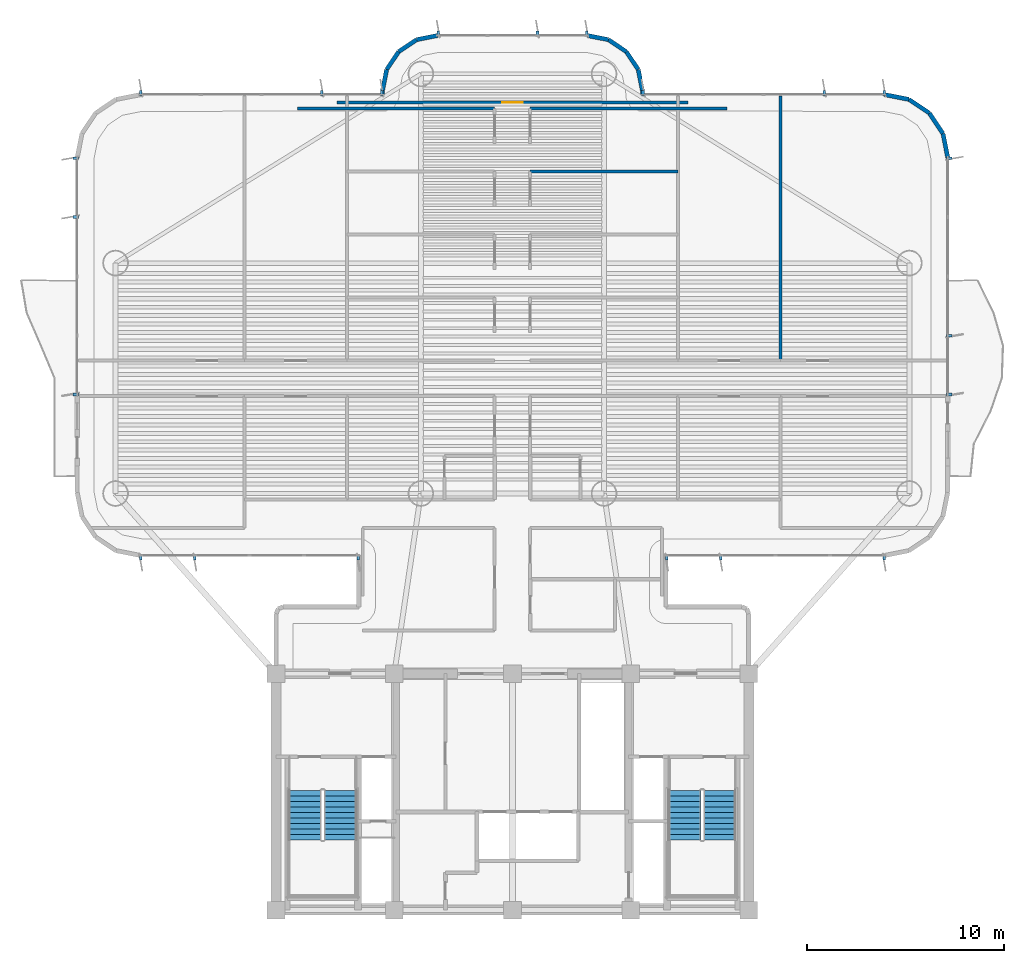
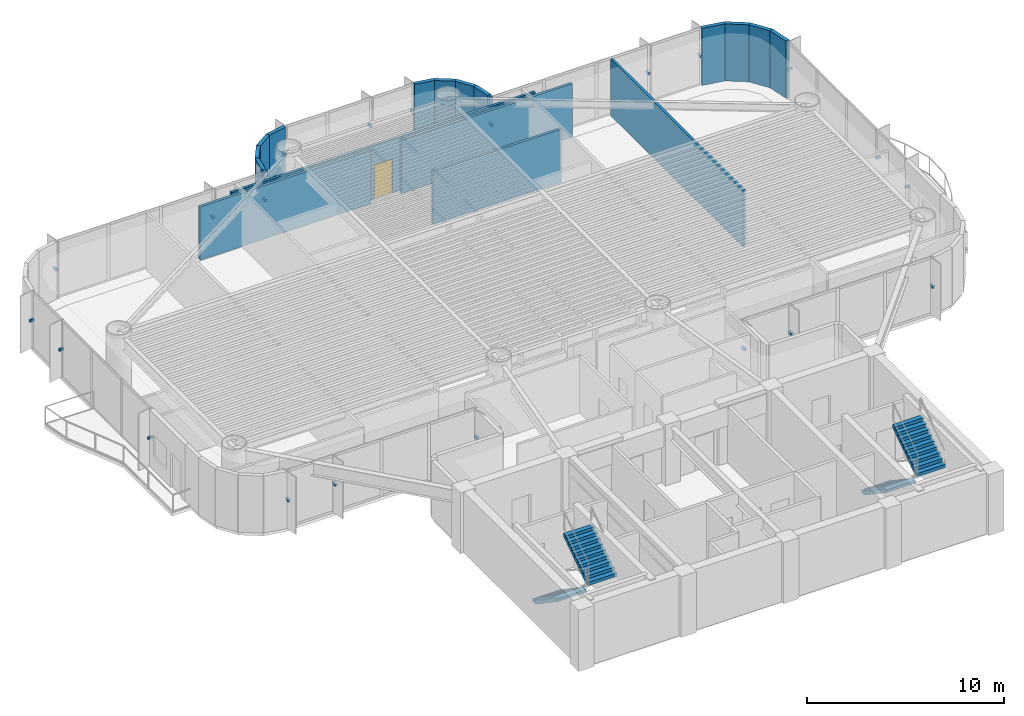
# One storey, part 12 of 16: 21 discrete accessories, 19 walls, 4 stair flights, 1 door, 1 opening, 2 elements without a shape of their own.
"""IFC4 building model written with IfcOpenShell, lengths in metres."""

from ifc_helpers import new_model, si_unit, direction, frame, frame_2d, origin, origin_2d, place, context, subcontext, project, spatial, polyline, rectangle, outline, extrude, source, transform, mapped, material, layer, layer_set, type_object, element, fill, aggregate, save


model = new_model("IFC4")

# Units and contexts
model_context = context("Model", 3, precision=1e-05, world=origin(), true_north=direction((0.0, 1.0)))
body_context = subcontext(model_context, "Body", "Model", "MODEL_VIEW")
ifc_project = project(units=[si_unit("LENGTHUNIT", "METRE"), si_unit("AREAUNIT", "SQUARE_METRE"), si_unit("VOLUMEUNIT", "CUBIC_METRE"), si_unit("PLANEANGLEUNIT", "RADIAN"), si_unit("MASSUNIT", "GRAM", prefix="KILO")], contexts=[model_context])

# Site, building, storey
site_placement = place(None, origin())
site = spatial("IfcSite", under=ifc_project, at=site_placement, CompositionType="ELEMENT")
building_placement = place(site_placement, origin())
building = spatial("IfcBuilding", under=site, at=building_placement, Name="Brelvock Crest Care Tower", CompositionType="ELEMENT")
storey_placement = place(building_placement, frame((0.0, 0.0, 101.159912109375)))
storey = spatial("IfcBuildingStorey", under=building, at=storey_placement, Name="L25", CompositionType="ELEMENT", Elevation=101.159912109375)

# Walls
ifc_material_1 = material(Name="Precast concrete N40 (40 MPa)", Category="concrete")
ifc_layer_1 = layer(ifc_material_1, 0.215087890625, Name="WL-EX2")
ifc_layer_set_1 = layer_set([ifc_layer_1], Name="Precast concrete N40 (40 MPa)")
wall_type_1 = type_object("IfcWallType", Name="WL-EX2", PredefinedType="SOLIDWALL", material=ifc_layer_set_1)
wall_1_placement = place(storey_placement, frame((29.39990234375, 47.39990234375, 0.0), z_axis=(0.0, 0.0, 1.0), x_axis=(0.0, 1.0, 0.0)))
element("IfcWall", 1, at=wall_1_placement, inside=storey, type_object=wall_type_1, Name="L25 Rounded Corner Wall 23", PredefinedType="SOLIDWALL", context=body_context, shape_type="SweptSolid", body=[
    extrude(rectangle(XDim=0.2001953125, YDim=0.215087890625, at=frame_2d((0.10009765625, 0.0))), origin(), (0.0, 0.0, 1.0), 3.530029296875),
])
wall_2_placement = place(storey_placement, frame((29.39990234375, 47.60009765625, 0.0), z_axis=(0.0, 0.0, 1.0), x_axis=(0.195127417394, 0.980777900945, 0.0)))
element("IfcWall", 2, at=wall_2_placement, inside=storey, type_object=wall_type_1, Name="L25 Rounded Corner Wall 24", PredefinedType="SOLIDWALL", context=body_context, shape_type="SweptSolid", body=[
    extrude(rectangle(XDim=1.09228515625, YDim=0.215087890625, at=frame_2d((0.546142578125, 0.0))), origin(), (0.0, 0.0, 1.0), 3.530029296875),
])
wall_3_placement = place(storey_placement, frame((29.613037109375, 48.67138671875, 0.0), z_axis=(0.0, 0.0, 1.0), x_axis=(0.555679482341, 0.831396603857, 0.0)))
element("IfcWall", 3, at=wall_3_placement, inside=storey, type_object=wall_type_1, Name="L25 Rounded Corner Wall 25", PredefinedType="SOLIDWALL", context=body_context, shape_type="SweptSolid", body=[
    extrude(rectangle(XDim=1.0927734375, YDim=0.215087890625, at=frame_2d((0.54638671875, 0.0))), origin(), (0.0, 0.0, 1.0), 3.530029296875),
])
for number, where, z_axis, x_axis, name in (
    (4, (30.22021484375, 49.579833984375, 0.0), (0.0, 0.0, 1.0), (0.831327592857, 0.555782721353, 0.0), "L25 Rounded Corner Wall 26"),
    (5, (31.12841796875, 50.18701171875, 0.0), (0.0, 0.0, 1.0), (0.980829143587, 0.194869677195, 0.0), "L25 Rounded Corner Wall 27"),
    (6, (39.800048828125, 50.39990234375, 0.0), (0.0, 0.0, 1.0), (0.980829143587, -0.194869677195, 0.0), "L25 Rounded Corner Wall 29"),
    (7, (40.87158203125, 50.18701171875, 0.0), (0.0, 0.0, 1.0), (0.831327592857, -0.555782721353, 0.0), "L25 Rounded Corner Wall 30"),
):
    element("IfcWall", number, at=place(storey_placement, frame(where, z_axis=z_axis, x_axis=x_axis)), inside=storey, type_object=wall_type_1, Name=name, PredefinedType="SOLIDWALL", context=body_context, shape_type="SweptSolid", body=[
        extrude(rectangle(XDim=1.092529296875, YDim=0.215087890625, at=frame_2d((0.54638671875, 0.0))), origin(), (0.0, 0.0, 1.0), 3.530029296875),
    ])
wall_4_placement = place(storey_placement, frame((41.77978515625, 49.579833984375, 0.0), z_axis=(0.0, 0.0, 1.0), x_axis=(0.555679482341, -0.831396603857, 0.0)))
element("IfcWall", 8, at=wall_4_placement, inside=storey, type_object=wall_type_1, Name="L25 Rounded Corner Wall 31", PredefinedType="SOLIDWALL", context=body_context, shape_type="SweptSolid", body=[
    extrude(rectangle(XDim=1.0927734375, YDim=0.215087890625, at=frame_2d((0.54638671875, 0.0))), origin(), (0.0, 0.0, 1.0), 3.530029296875),
])
wall_5_placement = place(storey_placement, frame((42.386962890625, 48.67138671875, 0.0), z_axis=(0.0, 0.0, 1.0), x_axis=(0.195127417394, -0.980777900945, 0.0)))
element("IfcWall", 9, at=wall_5_placement, inside=storey, type_object=wall_type_1, Name="L25 Rounded Corner Wall 32", PredefinedType="SOLIDWALL", context=body_context, shape_type="SweptSolid", body=[
    extrude(rectangle(XDim=1.09228515625, YDim=0.215087890625, at=frame_2d((0.546142578125, 0.0))), origin(), (0.0, 0.0, 1.0), 3.530029296875),
])
wall_6_placement = place(storey_placement, frame((42.60009765625, 47.60009765625, 0.0), z_axis=(0.0, 0.0, 1.0), x_axis=(0.0, -1.0, 0.0)))
element("IfcWall", 10, at=wall_6_placement, inside=storey, type_object=wall_type_1, Name="L25 Rounded Corner Wall 33", PredefinedType="SOLIDWALL", context=body_context, shape_type="SweptSolid", body=[
    extrude(rectangle(XDim=0.2001953125, YDim=0.215087890625, at=frame_2d((0.10009765625, 0.0))), origin(), (0.0, 0.0, 1.0), 3.530029296875),
])
for number, where, z_axis, x_axis, name in (
    (11, (54.89990234375, 47.39990234375, 0.0), (0.0, 0.0, 1.0), (0.980813122964, -0.194950295773, 0.0), "L25 Rounded Corner Wall 35"),
    (12, (56.12451171875, 47.156494140625, 0.0), (0.0, 0.0, 1.0), (0.831387912822, -0.555692485475, 0.0), "L25 Rounded Corner Wall 36"),
    (13, (57.16259765625, 46.462646484375, 0.0), (0.0, 0.0, 1.0), (0.555692485475, -0.831387912822, 0.0), "L25 Rounded Corner Wall 37"),
    (14, (57.8564453125, 45.424560546875, 0.0), (0.0, 0.0, 1.0), (0.195138390419, -0.980775717779, 0.0), "L25 Rounded Corner Wall 38"),
):
    element("IfcWall", number, at=place(storey_placement, frame(where, z_axis=z_axis, x_axis=x_axis)), inside=storey, type_object=wall_type_1, Name=name, PredefinedType="SOLIDWALL", context=body_context, shape_type="SweptSolid", body=[
        extrude(rectangle(XDim=1.24853515625, YDim=0.215087890625, at=frame_2d((0.624267578125, 0.0))), origin(), (0.0, 0.0, 1.0), 3.530029296875),
    ])
ifc_material_2 = material(Name="Masonry Blockwork Acoustic Partition", Category="masonry")
ifc_layer_2 = layer(ifc_material_2, 0.14990234375, Name="WL-INT1")
ifc_layer_set_2 = layer_set([ifc_layer_2], Name="Masonry Blockwork Acoustic Partition")
wall_type_2 = type_object("IfcWallType", Name="WL-INT1", PredefinedType="PARTITIONING", material=ifc_layer_set_2)
wall_7_placement = place(storey_placement, frame((36.89990234375, 43.5, 0.0), z_axis=(0.0, 0.0, 1.0), x_axis=(1.0, 0.0, 0.0)))
element("IfcWall", 15, at=wall_7_placement, inside=storey, type_object=wall_type_2, Name="L25 Interior Wall WL-BX-L25-CS-INECBA-N", PredefinedType="PARTITIONING", context=body_context, shape_type="SweptSolid", body=[
    extrude(rectangle(XDim=7.5, YDim=0.14990234375, at=frame_2d((3.75, 0.0))), origin(), (0.0, 0.0, 1.0), 3.30810546875),
])
for number, where, z_axis, x_axis, name in (
    (16, (25.10009765625, 46.699951171875, 0.0), (0.0, 0.0, 1.0), (1.0, 0.0, 0.0), "L25 Interior Wall WL-BX-L25-CS-INWCBB-N"),
    (17, (36.89990234375, 46.699951171875, 0.0), (0.0, 0.0, 1.0), (1.0, 0.0, 0.0), "L25 Interior Wall WL-BX-L25-CS-INECBB-N"),
):
    element("IfcWall", number, at=place(storey_placement, frame(where, z_axis=z_axis, x_axis=x_axis)), inside=storey, type_object=wall_type_2, Name=name, PredefinedType="PARTITIONING", context=body_context, shape_type="SweptSolid", body=[
        extrude(rectangle(XDim=10.0, YDim=0.14990234375, at=frame_2d((5.0, 0.0))), origin(), (0.0, 0.0, 1.0), 3.30810546875),
    ])

# Wall, opening, door
wall_8_placement = place(storey_placement, frame((27.10009765625, 47.0, 0.0), z_axis=(0.0, 0.0, 1.0), x_axis=(1.0, 0.0, 0.0)))
wall_8 = element("IfcWall", 18, at=wall_8_placement, inside=storey, type_object=wall_type_2, Name="L25 Interior Wall WL-RM-L25-NHUB", PredefinedType="PARTITIONING", context=body_context, shape_type="SweptSolid", body=[
    extrude(rectangle(XDim=17.7998046875, YDim=0.14990234375, at=frame_2d((8.89990234375, 0.0))), origin(), (0.0, 0.0, 1.0), 3.30810546875),
])
opening_placement = place(wall_8_placement, frame((8.375, 0.0, 0.0)))
opening = element("IfcOpeningElement", 19, at=opening_placement, cuts=wall_8, Name="Opening CLD-1", PredefinedType="OPENING", context=body_context, shape_type="SweptSolid", body=[
    extrude(rectangle(XDim=1.050048828125, YDim=2.10009765625, at=origin_2d()), frame((0.52490234375, 0.0849609375, 1.050048828125), z_axis=(0.0, -1.0, 0.0), x_axis=(1.0, 0.0, 0.0)), (0.0, 0.0, 1.0), 0.169921875),
])
ifc_material_3 = material(Name="Engineered Hardwood Timber", Category="wood")
door_type = type_object("IfcDoorType", Name="DR-CLN1", OperationType="NOTDEFINED", PredefinedType="DOOR", material=ifc_material_3)
shared_shape_1 = source(origin(), body_context, "Body", "SweptSolid", [
    extrude(rectangle(XDim=1.050048828125, YDim=2.10009765625, at=origin_2d()), frame((0.52490234375, 0.02490234375, 1.050048828125), z_axis=(0.0, -1.0, 0.0), x_axis=(1.0, 0.0, 0.0)), (0.0, 0.0, 1.0), 0.050048828125),
])
door_placement = place(opening_placement, origin())
door = element("IfcDoor", 20, at=door_placement, inside=storey, type_object=door_type, Name="L25 North Panorama Sunroom Door NHUB", OperationType="SINGLE_SWING_LEFT", OverallHeight=2.10009765625, OverallWidth=1.050048828125, PredefinedType="DOOR", context=body_context, shape_type="MappedRepresentation", body=[
    mapped(shared_shape_1, transform((0.0, 0.0, 0.0), x_axis=(1.0, 0.0, 0.0), y_axis=(0.0, 1.0, 0.0), z_axis=(0.0, 0.0, 1.0), scale=1.0)),
])
fill(opening, door)

# Wall
wall_9_placement = place(storey_placement, frame((49.60009765625, 33.89990234375, 0.0), z_axis=(0.0, 0.0, 1.0), x_axis=(0.0, 1.0, 0.0)))
element("IfcWall", 21, at=wall_9_placement, inside=storey, type_object=wall_type_2, Name="L25 Interior Wall WL-BX-L25-INED-E", PredefinedType="PARTITIONING", context=body_context, shape_type="SweptSolid", body=[
    extrude(rectangle(XDim=13.4208984375, YDim=0.14990234375, at=frame_2d((6.71044921875, 0.0))), origin(), (0.0, 0.0, 1.0), 3.5),
])

# Stair, stair flights
ifc_material_4 = material(Name="Concrete N40 (40 MPa)", Category="concrete")
stair_type = type_object("IfcStairType", Name="ST-CORE1", PredefinedType="HALF_TURN_STAIR", material=ifc_material_4)
stair_1_placement = place(storey_placement, origin())
stair_1 = element("IfcStair", 22, at=stair_1_placement, inside=storey, type_object=stair_type, Name="L25 Fire-Isolated Core Stair ST-1", PredefinedType="HALF_TURN_STAIR")
stair_flight_type = type_object("IfcStairFlightType", Name="STF-1", PredefinedType="STRAIGHT", material=ifc_material_4)
stair_flight_1_placement = place(storey_placement, frame((25.469970703125, 12.080078125, 0.0), z_axis=(0.0, 0.0, 1.0), x_axis=(0.0, -1.0, 0.0)))
stair_flight_1 = element("IfcStairFlight", 23, at=stair_flight_1_placement, type_object=stair_flight_type, Name="ST-1 flight 1", NumberOfRisers=10, NumberOfTreads=9, PredefinedType="STRAIGHT", RiserHeight=0.189, TreadLength=0.28, context=body_context, shape_type="SweptSolid", body=[
    extrude(outline(polyline([(-0.00390625, -0.014892578125), (-0.00390625, -0.0078125), (-0.00390625, -0.00048828125), (-0.00390625, 0.0068359375), (-0.00390625, 0.01416015625), (-0.00390625, 0.021484375), (-0.00390625, 0.02880859375), (-0.00390625, 0.035888671875), (-0.00390625, 0.043212890625), (-0.00390625, 0.050537109375), (-0.00390625, 0.057861328125), (-0.00390625, 0.065185546875), (-0.00390625, 0.072509765625), (-0.00390625, 0.07958984375), (-0.00390625, 0.0869140625), (-0.00390625, 0.09423828125), (-0.00390625, 0.1015625), (-0.00390625, 0.10888671875), (-0.00390625, 0.1162109375), (-0.00390625, 0.12353515625), (-0.00390625, 0.130615234375), (-0.00390625, 0.137939453125), (-0.00390625, 0.145263671875), (-0.00390625, 0.152587890625), (-0.00390625, 0.159912109375), (-0.00390625, 0.167236328125), (-0.00390625, 0.17431640625), (-0.00390625, 0.181640625), (-0.00390625, 0.18896484375), (0.0, 0.18896484375), (0.280029296875, 0.18896484375), (0.280029296875, 0.3779296875), (0.56005859375, 0.3779296875), (0.56005859375, 0.56689453125), (0.840087890625, 0.56689453125), (0.840087890625, 0.756103515625), (1.1201171875, 0.756103515625), (1.1201171875, 0.945068359375), (1.39990234375, 0.945068359375), (1.39990234375, 1.134033203125), (1.679931640625, 1.134033203125), (1.679931640625, 1.322998046875), (1.9599609375, 1.322998046875), (1.9599609375, 1.511962890625), (2.239990234375, 1.511962890625), (2.239990234375, 1.700927734375), (2.52001953125, 1.700927734375), (2.52392578125, 1.700927734375), (2.523681640625, 1.70068359375), (2.52392578125, 1.700439453125), (2.523681640625, 1.699951171875), (2.52392578125, 1.69970703125), (2.523681640625, 1.699462890625), (2.52392578125, 1.698974609375), (2.523681640625, 1.69873046875), (2.52392578125, 1.698486328125), (2.523681640625, 1.697998046875), (2.52392578125, 1.69775390625), (2.523681640625, 1.697509765625), (2.52392578125, 1.697021484375), (2.523681640625, 1.69677734375), (2.52392578125, 1.696533203125), (2.523681640625, 1.6962890625), (2.52392578125, 1.69580078125), (2.523681640625, 1.695556640625), (2.52392578125, 1.6953125), (2.523681640625, 1.69482421875), (2.52392578125, 1.694580078125), (2.523681640625, 1.6943359375), (2.52392578125, 1.69384765625), (2.523681640625, 1.693603515625), (2.52392578125, 1.693359375), (2.523681640625, 1.69287109375), (2.52392578125, 1.692626953125), (2.523681640625, 1.6923828125), (2.52392578125, 1.69189453125), (2.52001953125, 1.520263671875), (0.267822265625, 0.0), (0.0, 0.0), (0.0, -0.014892578125), (-0.00390625, -0.014892578125)])), frame((0.0, 0.83984375, 0.0), z_axis=(0.0, -1.0, 0.0), x_axis=(1.0, 0.0, 0.0)), (0.0, 0.0, 1.0), 1.679931640625),
])
stair_flight_2_placement = place(storey_placement, frame((27.27001953125, 9.56005859375, 1.89013671875), z_axis=(0.0, 0.0, 1.0), x_axis=(0.0, 1.0, 0.0)))
stair_flight_2 = element("IfcStairFlight", 24, at=stair_flight_2_placement, type_object=stair_flight_type, Name="ST-1 flight 2", NumberOfRisers=10, NumberOfTreads=9, PredefinedType="STRAIGHT", RiserHeight=0.189, TreadLength=0.28, context=body_context, shape_type="SweptSolid", body=[
    extrude(outline(polyline([(-0.00390625, -0.014892578125), (-0.00390625, -0.0078125), (-0.00390625, -0.00048828125), (-0.00390625, 0.0068359375), (-0.00390625, 0.01416015625), (-0.00390625, 0.021484375), (-0.00390625, 0.02880859375), (-0.00390625, 0.035888671875), (-0.00390625, 0.043212890625), (-0.00390625, 0.050537109375), (-0.00390625, 0.057861328125), (-0.00390625, 0.065185546875), (-0.00390625, 0.072509765625), (-0.00390625, 0.07958984375), (-0.00390625, 0.0869140625), (-0.00390625, 0.09423828125), (-0.00390625, 0.1015625), (-0.00390625, 0.10888671875), (-0.00390625, 0.1162109375), (-0.00390625, 0.12353515625), (-0.00390625, 0.130615234375), (-0.00390625, 0.137939453125), (-0.00390625, 0.145263671875), (-0.00390625, 0.152587890625), (-0.00390625, 0.159912109375), (-0.00390625, 0.167236328125), (-0.00390625, 0.17431640625), (-0.00390625, 0.181640625), (-0.00390625, 0.18896484375), (0.0, 0.18896484375), (0.280029296875, 0.18896484375), (0.280029296875, 0.3779296875), (0.56005859375, 0.3779296875), (0.56005859375, 0.56689453125), (0.840087890625, 0.56689453125), (0.840087890625, 0.756103515625), (1.1201171875, 0.756103515625), (1.1201171875, 0.945068359375), (1.39990234375, 0.945068359375), (1.39990234375, 1.134033203125), (1.679931640625, 1.134033203125), (1.679931640625, 1.322998046875), (1.9599609375, 1.322998046875), (1.9599609375, 1.511962890625), (2.239990234375, 1.511962890625), (2.239990234375, 1.700927734375), (2.52001953125, 1.700927734375), (2.52392578125, 1.700927734375), (2.523681640625, 1.70068359375), (2.52392578125, 1.700439453125), (2.523681640625, 1.699951171875), (2.52392578125, 1.69970703125), (2.523681640625, 1.699462890625), (2.52392578125, 1.698974609375), (2.523681640625, 1.69873046875), (2.52392578125, 1.698486328125), (2.523681640625, 1.697998046875), (2.52392578125, 1.69775390625), (2.523681640625, 1.697509765625), (2.52392578125, 1.697021484375), (2.523681640625, 1.69677734375), (2.52392578125, 1.696533203125), (2.523681640625, 1.6962890625), (2.52392578125, 1.69580078125), (2.523681640625, 1.695556640625), (2.52392578125, 1.6953125), (2.523681640625, 1.69482421875), (2.52392578125, 1.694580078125), (2.523681640625, 1.6943359375), (2.52392578125, 1.69384765625), (2.523681640625, 1.693603515625), (2.52392578125, 1.693359375), (2.523681640625, 1.69287109375), (2.52392578125, 1.692626953125), (2.523681640625, 1.6923828125), (2.52392578125, 1.69189453125), (2.52001953125, 1.520263671875), (0.267822265625, 0.0), (0.0, 0.0), (0.0, -0.014892578125), (-0.00390625, -0.014892578125)])), frame((0.0, 0.83984375, 0.0), z_axis=(0.0, -1.0, 0.0), x_axis=(1.0, 0.0, 0.0)), (0.0, 0.0, 1.0), 1.679931640625),
])
aggregate(stair_1, [stair_flight_1, stair_flight_2])

stair_2_placement = place(storey_placement, origin())
stair_2 = element("IfcStair", 25, at=stair_2_placement, inside=storey, type_object=stair_type, Name="L25 Fire-Isolated Core Stair ST-2", PredefinedType="HALF_TURN_STAIR")
stair_flight_3_placement = place(storey_placement, frame((44.72998046875, 12.080078125, 0.0), z_axis=(0.0, 0.0, 1.0), x_axis=(0.0, -1.0, 0.0)))
stair_flight_3 = element("IfcStairFlight", 26, at=stair_flight_3_placement, type_object=stair_flight_type, Name="ST-2 flight 1", NumberOfRisers=10, NumberOfTreads=9, PredefinedType="STRAIGHT", RiserHeight=0.189, TreadLength=0.28, context=body_context, shape_type="SweptSolid", body=[
    extrude(outline(polyline([(-0.00390625, -0.014892578125), (-0.00390625, -0.0078125), (-0.00390625, -0.00048828125), (-0.00390625, 0.0068359375), (-0.00390625, 0.01416015625), (-0.00390625, 0.021484375), (-0.00390625, 0.02880859375), (-0.00390625, 0.035888671875), (-0.00390625, 0.043212890625), (-0.00390625, 0.050537109375), (-0.00390625, 0.057861328125), (-0.00390625, 0.065185546875), (-0.00390625, 0.072509765625), (-0.00390625, 0.07958984375), (-0.00390625, 0.0869140625), (-0.00390625, 0.09423828125), (-0.00390625, 0.1015625), (-0.00390625, 0.10888671875), (-0.00390625, 0.1162109375), (-0.00390625, 0.12353515625), (-0.00390625, 0.130615234375), (-0.00390625, 0.137939453125), (-0.00390625, 0.145263671875), (-0.00390625, 0.152587890625), (-0.00390625, 0.159912109375), (-0.00390625, 0.167236328125), (-0.00390625, 0.17431640625), (-0.00390625, 0.181640625), (-0.00390625, 0.18896484375), (0.0, 0.18896484375), (0.280029296875, 0.18896484375), (0.280029296875, 0.3779296875), (0.56005859375, 0.3779296875), (0.56005859375, 0.56689453125), (0.840087890625, 0.56689453125), (0.840087890625, 0.756103515625), (1.1201171875, 0.756103515625), (1.1201171875, 0.945068359375), (1.39990234375, 0.945068359375), (1.39990234375, 1.134033203125), (1.679931640625, 1.134033203125), (1.679931640625, 1.322998046875), (1.9599609375, 1.322998046875), (1.9599609375, 1.511962890625), (2.239990234375, 1.511962890625), (2.239990234375, 1.700927734375), (2.52001953125, 1.700927734375), (2.52392578125, 1.700927734375), (2.523681640625, 1.70068359375), (2.52392578125, 1.700439453125), (2.523681640625, 1.699951171875), (2.52392578125, 1.69970703125), (2.523681640625, 1.699462890625), (2.52392578125, 1.698974609375), (2.523681640625, 1.69873046875), (2.52392578125, 1.698486328125), (2.523681640625, 1.697998046875), (2.52392578125, 1.69775390625), (2.523681640625, 1.697509765625), (2.52392578125, 1.697021484375), (2.523681640625, 1.69677734375), (2.52392578125, 1.696533203125), (2.523681640625, 1.6962890625), (2.52392578125, 1.69580078125), (2.523681640625, 1.695556640625), (2.52392578125, 1.6953125), (2.523681640625, 1.69482421875), (2.52392578125, 1.694580078125), (2.523681640625, 1.6943359375), (2.52392578125, 1.69384765625), (2.523681640625, 1.693603515625), (2.52392578125, 1.693359375), (2.523681640625, 1.69287109375), (2.52392578125, 1.692626953125), (2.523681640625, 1.6923828125), (2.52392578125, 1.69189453125), (2.52001953125, 1.520263671875), (0.267822265625, 0.0), (0.0, 0.0), (0.0, -0.014892578125), (-0.00390625, -0.014892578125)])), frame((0.0, 0.83984375, 0.0), z_axis=(0.0, -1.0, 0.0), x_axis=(1.0, 0.0, 0.0)), (0.0, 0.0, 1.0), 1.679931640625),
])
stair_flight_4_placement = place(storey_placement, frame((46.530029296875, 9.56005859375, 1.89013671875), z_axis=(0.0, 0.0, 1.0), x_axis=(0.0, 1.0, 0.0)))
stair_flight_4 = element("IfcStairFlight", 27, at=stair_flight_4_placement, type_object=stair_flight_type, Name="ST-2 flight 2", NumberOfRisers=10, NumberOfTreads=9, PredefinedType="STRAIGHT", RiserHeight=0.189, TreadLength=0.28, context=body_context, shape_type="SweptSolid", body=[
    extrude(outline(polyline([(-0.00390625, -0.014892578125), (-0.00390625, -0.0078125), (-0.00390625, -0.00048828125), (-0.00390625, 0.0068359375), (-0.00390625, 0.01416015625), (-0.00390625, 0.021484375), (-0.00390625, 0.02880859375), (-0.00390625, 0.035888671875), (-0.00390625, 0.043212890625), (-0.00390625, 0.050537109375), (-0.00390625, 0.057861328125), (-0.00390625, 0.065185546875), (-0.00390625, 0.072509765625), (-0.00390625, 0.07958984375), (-0.00390625, 0.0869140625), (-0.00390625, 0.09423828125), (-0.00390625, 0.1015625), (-0.00390625, 0.10888671875), (-0.00390625, 0.1162109375), (-0.00390625, 0.12353515625), (-0.00390625, 0.130615234375), (-0.00390625, 0.137939453125), (-0.00390625, 0.145263671875), (-0.00390625, 0.152587890625), (-0.00390625, 0.159912109375), (-0.00390625, 0.167236328125), (-0.00390625, 0.17431640625), (-0.00390625, 0.181640625), (-0.00390625, 0.18896484375), (0.0, 0.18896484375), (0.280029296875, 0.18896484375), (0.280029296875, 0.3779296875), (0.56005859375, 0.3779296875), (0.56005859375, 0.56689453125), (0.840087890625, 0.56689453125), (0.840087890625, 0.756103515625), (1.1201171875, 0.756103515625), (1.1201171875, 0.945068359375), (1.39990234375, 0.945068359375), (1.39990234375, 1.134033203125), (1.679931640625, 1.134033203125), (1.679931640625, 1.322998046875), (1.9599609375, 1.322998046875), (1.9599609375, 1.511962890625), (2.239990234375, 1.511962890625), (2.239990234375, 1.700927734375), (2.52001953125, 1.700927734375), (2.52392578125, 1.700927734375), (2.523681640625, 1.70068359375), (2.52392578125, 1.700439453125), (2.523681640625, 1.699951171875), (2.52392578125, 1.69970703125), (2.523681640625, 1.699462890625), (2.52392578125, 1.698974609375), (2.523681640625, 1.69873046875), (2.52392578125, 1.698486328125), (2.523681640625, 1.697998046875), (2.52392578125, 1.69775390625), (2.523681640625, 1.697509765625), (2.52392578125, 1.697021484375), (2.523681640625, 1.69677734375), (2.52392578125, 1.696533203125), (2.523681640625, 1.6962890625), (2.52392578125, 1.69580078125), (2.523681640625, 1.695556640625), (2.52392578125, 1.6953125), (2.523681640625, 1.69482421875), (2.52392578125, 1.694580078125), (2.523681640625, 1.6943359375), (2.52392578125, 1.69384765625), (2.523681640625, 1.693603515625), (2.52392578125, 1.693359375), (2.523681640625, 1.69287109375), (2.52392578125, 1.692626953125), (2.523681640625, 1.6923828125), (2.52392578125, 1.69189453125), (2.52001953125, 1.520263671875), (0.267822265625, 0.0), (0.0, 0.0), (0.0, -0.014892578125), (-0.00390625, -0.014892578125)])), frame((0.0, 0.83984375, 0.0), z_axis=(0.0, -1.0, 0.0), x_axis=(1.0, 0.0, 0.0)), (0.0, 0.0, 1.0), 1.679931640625),
])
aggregate(stair_2, [stair_flight_3, stair_flight_4])

# Discrete accessories
ifc_material_5 = material(Name="Steel Grade 350", Category="steel")
discrete_accessory_type = type_object("IfcDiscreteAccessoryType", Name="ACC-BRK1", PredefinedType="BRACKET", material=ifc_material_5)
shared_shape_2 = source(origin(), body_context, "Body", "SweptSolid", [
    extrude(rectangle(XDim=0.280029296875, YDim=0.139892578125, at=origin_2d()), origin(), (0.0, 0.0, 1.0), 0.139892578125),
])
for number, where, z_axis, x_axis, name in (
    (28, (28.169921875, 23.919921875, 1.6953125), (0.0, 0.0, 1.0), (0.0, -1.0, 0.0), "L25 Facade Fin Bracket E12-01"),
    (29, (19.875, 23.919921875, 1.6953125), (0.0, 0.0, 1.0), (0.0, -1.0, 0.0), "L25 Facade Fin Bracket E12-04"),
    (30, (17.1298828125, 23.919921875, 1.6953125), (0.0, 0.0, 1.0), (0.0, -1.0, 0.0), "L25 Facade Fin Bracket E12-05"),
    (31, (13.820068359375, 32.179931640625, 1.6953125), (0.0, 0.0, 1.0), (-1.0, 0.0, 0.0), "L25 Facade Fin Bracket E17B-01"),
    (32, (13.820068359375, 41.1875, 1.6953125), (0.0, 0.0, 1.0), (-1.0, 0.0, 0.0), "L25 Facade Fin Bracket E17B-04"),
    (33, (13.820068359375, 44.169921875, 1.6953125), (0.0, 0.0, 1.0), (-1.0, 0.0, 0.0), "L25 Facade Fin Bracket E17B-05"),
    (34, (17.1298828125, 47.47998046875, 1.6953125), (0.0, 0.0, 1.0), (0.0, 1.0, 0.0), "L25 Facade Fin Bracket E22-01"),
    (35, (26.324951171875, 47.47998046875, 1.6953125), (0.0, 0.0, 1.0), (0.0, 1.0, 0.0), "L25 Facade Fin Bracket E22-04"),
    (36, (29.3701171875, 47.47998046875, 1.6953125), (0.0, 0.0, 1.0), (0.0, 1.0, 0.0), "L25 Facade Fin Bracket E22-05"),
    (37, (32.22998046875, 50.47998046875, 1.6953125), (0.0, 0.0, 1.0), (0.0, 1.0, 0.0), "L25 Facade Fin Bracket E28-01"),
    (38, (37.2666015625, 50.47998046875, 1.6953125), (0.0, 0.0, 1.0), (0.0, 1.0, 0.0), "L25 Facade Fin Bracket E28-03"),
    (39, (39.77001953125, 50.47998046875, 1.6953125), (0.0, 0.0, 1.0), (0.0, 1.0, 0.0), "L25 Facade Fin Bracket E28-04"),
    (40, (42.6298828125, 47.47998046875, 1.6953125), (0.0, 0.0, 1.0), (0.0, 1.0, 0.0), "L25 Facade Fin Bracket E34-01"),
    (41, (51.824951171875, 47.47998046875, 1.6953125), (0.0, 0.0, 1.0), (0.0, 1.0, 0.0), "L25 Facade Fin Bracket E34-04"),
    (42, (54.8701171875, 47.47998046875, 1.6953125), (0.0, 0.0, 1.0), (0.0, 1.0, 0.0), "L25 Facade Fin Bracket E34-05"),
    (43, (58.179931640625, 44.169921875, 1.6953125), (0.0, 0.0, 1.0), (1.0, 0.0, 0.0), "L25 Facade Fin Bracket E39A-01"),
    (44, (58.179931640625, 35.16259765625, 1.6953125), (0.0, 0.0, 1.0), (1.0, 0.0, 0.0), "L25 Facade Fin Bracket E39A-04"),
    (45, (58.179931640625, 32.179931640625, 1.6953125), (0.0, 0.0, 1.0), (1.0, 0.0, 0.0), "L25 Facade Fin Bracket E39A-05"),
    (46, (54.8701171875, 23.919921875, 1.6953125), (0.0, 0.0, 1.0), (0.0, -1.0, 0.0), "L25 Facade Fin Bracket E44-01"),
    (47, (46.574951171875, 23.919921875, 1.6953125), (0.0, 0.0, 1.0), (0.0, -1.0, 0.0), "L25 Facade Fin Bracket E44-04"),
    (48, (43.830078125, 23.919921875, 1.6953125), (0.0, 0.0, 1.0), (0.0, -1.0, 0.0), "L25 Facade Fin Bracket E44-05"),
):
    element("IfcDiscreteAccessory", number, at=place(storey_placement, frame(where, z_axis=z_axis, x_axis=x_axis)), inside=storey, type_object=discrete_accessory_type, Name=name, PredefinedType="BRACKET", context=body_context, shape_type="MappedRepresentation", body=[
        mapped(shared_shape_2, transform((0.0, 0.0, 0.0), x_axis=(1.0, 0.0, 0.0), y_axis=(0.0, 1.0, 0.0), z_axis=(0.0, 0.0, 1.0), scale=1.0)),
    ])

save(model, "model.ifc")
